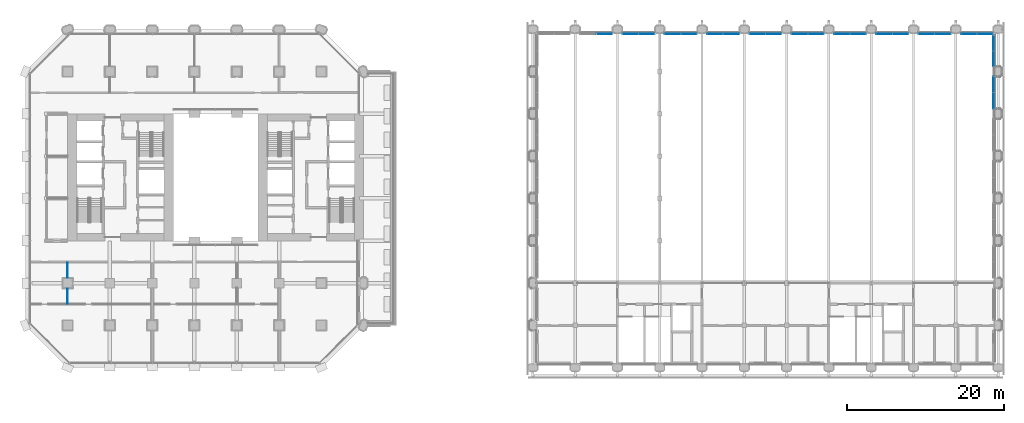
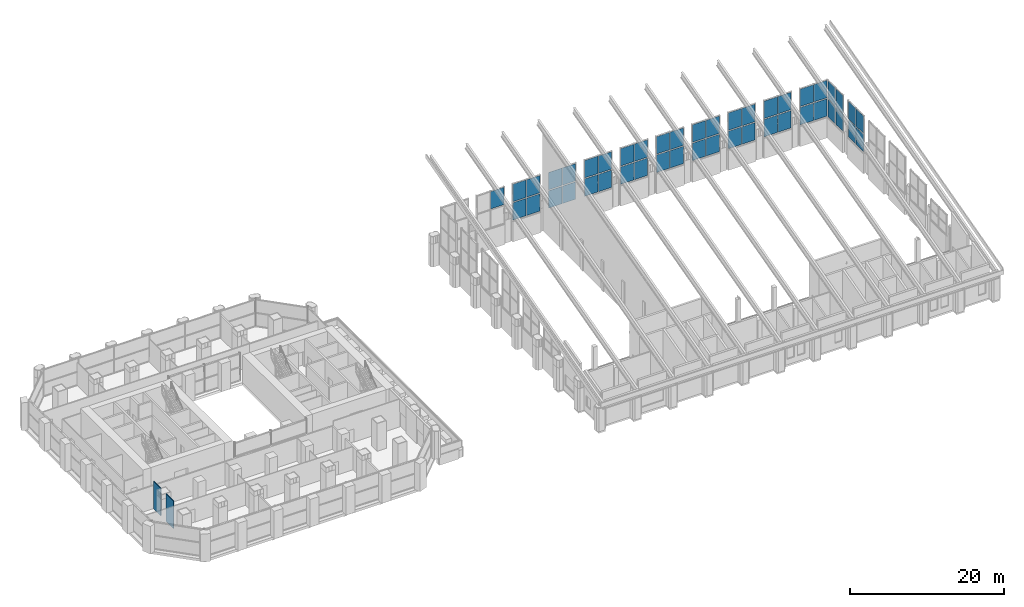
# One storey, part 26 of 42: 45 plates, 2 walls, 12 elements without a shape of their own.
"""IFC4 building model written with IfcOpenShell, lengths in metres."""

from ifc_helpers import new_model, si_unit, direction, frame, frame_2d, origin, origin_2d, place, context, subcontext, project, spatial, rectangle, extrude, material, layer, layer_set, type_object, element, aggregate, save


model = new_model("IFC4")

# Units and contexts
model_context = context("Model", 3, precision=1e-05, world=origin(), true_north=direction((0.0, 1.0)))
body_context = subcontext(model_context, "Body", "Model", "MODEL_VIEW")
ifc_project = project(units=[si_unit("LENGTHUNIT", "METRE"), si_unit("AREAUNIT", "SQUARE_METRE"), si_unit("VOLUMEUNIT", "CUBIC_METRE"), si_unit("PLANEANGLEUNIT", "RADIAN"), si_unit("MASSUNIT", "GRAM", prefix="KILO")], contexts=[model_context])

# Site, building, storey
site_placement = place(None, origin())
site = spatial("IfcSite", under=ifc_project, at=site_placement, CompositionType="ELEMENT")
building_placement = place(site_placement, origin())
building = spatial("IfcBuilding", under=site, at=building_placement, Name="Tabaq Tower and Sports Hall", CompositionType="ELEMENT")
storey_placement = place(building_placement, frame((0.0, 0.0, 19.800048828125)))
storey = spatial("IfcBuildingStorey", under=building, at=storey_placement, Name="L03", CompositionType="ELEMENT", Elevation=19.800048828125)

# Curtain wall, plate
ifc_material_1 = material(Name="Aluminium alloy 6063-T6 framed glazing", Category="aluminium")
curtain_wall_type = type_object("IfcCurtainWallType", Name="CW6 curtain wall", PredefinedType="USERDEFINED", material=ifc_material_1)
curtain_wall_1_placement = place(storey_placement, origin())
curtain_wall_1 = element("IfcCurtainWall", 1, at=curtain_wall_1_placement, inside=storey, type_object=curtain_wall_type, Name="L03 N hall glazing run", ObjectType="HALL FACADE WALL", PredefinedType="USERDEFINED")
ifc_material_2 = material(Name="Clear low-emissivity glass 28 mm", Category="glass")
ifc_layer_1 = layer(ifc_material_2, 0.031982421875)
ifc_layer_set_1 = layer_set([ifc_layer_1], Name="CW6 glass panel 32")
plate_type = type_object("IfcPlateType", Name="CW6 glass panel 32", PredefinedType="CURTAIN_PANEL", material=ifc_layer_set_1)
plate_1_placement = place(storey_placement, frame((73.9326171875, 42.60009765625, 6.27978515625), z_axis=(0.0, 0.0, 1.0), x_axis=(1.0, 0.0, 0.0)))
plate_1 = element("IfcPlate", 2, at=plate_1_placement, type_object=plate_type, Name="CW6 panel 2.2", PredefinedType="CURTAIN_PANEL", context=body_context, shape_type="SweptSolid", body=[
    extrude(rectangle(XDim=1.9951171875, YDim=0.031982421875, at=origin_2d()), origin(), (0.0, 0.0, 1.0), 2.760009765625),
])
aggregate(curtain_wall_1, [plate_1])

# Curtain wall, plates
curtain_wall_2_placement = place(storey_placement, origin())
curtain_wall_2 = element("IfcCurtainWall", 3, at=curtain_wall_2_placement, inside=storey, type_object=curtain_wall_type, Name="L03 N hall glazing run", ObjectType="HALL FACADE WALL", PredefinedType="USERDEFINED")
plate_2_placement = place(storey_placement, frame((77.267578125, 42.60009765625, 3.35986328125), z_axis=(0.0, 0.0, 1.0), x_axis=(1.0, 0.0, 0.0)))
plate_2 = element("IfcPlate", 4, at=plate_2_placement, type_object=plate_type, Name="CW6 panel 1.1", PredefinedType="CURTAIN_PANEL", context=body_context, shape_type="SweptSolid", body=[
    extrude(rectangle(XDim=1.9951171875, YDim=0.031982421875, at=origin_2d()), origin(), (0.0, 0.0, 1.0), 2.760009765625),
])
plate_3_placement = place(storey_placement, frame((77.267578125, 42.60009765625, 6.27978515625), z_axis=(0.0, 0.0, 1.0), x_axis=(1.0, 0.0, 0.0)))
plate_3 = element("IfcPlate", 5, at=plate_3_placement, type_object=plate_type, Name="CW6 panel 1.2", PredefinedType="CURTAIN_PANEL", context=body_context, shape_type="SweptSolid", body=[
    extrude(rectangle(XDim=1.9951171875, YDim=0.031982421875, at=origin_2d()), origin(), (0.0, 0.0, 1.0), 2.760009765625),
])
plate_4_placement = place(storey_placement, frame((79.33251953125, 42.60009765625, 3.35986328125), z_axis=(0.0, 0.0, 1.0), x_axis=(1.0, 0.0, 0.0)))
plate_4 = element("IfcPlate", 6, at=plate_4_placement, type_object=plate_type, Name="CW6 panel 2.1", PredefinedType="CURTAIN_PANEL", context=body_context, shape_type="SweptSolid", body=[
    extrude(rectangle(XDim=1.9951171875, YDim=0.031982421875, at=origin_2d()), origin(), (0.0, 0.0, 1.0), 2.760009765625),
])
plate_5_placement = place(storey_placement, frame((79.33251953125, 42.60009765625, 6.27978515625), z_axis=(0.0, 0.0, 1.0), x_axis=(1.0, 0.0, 0.0)))
plate_5 = element("IfcPlate", 7, at=plate_5_placement, type_object=plate_type, Name="CW6 panel 2.2", PredefinedType="CURTAIN_PANEL", context=body_context, shape_type="SweptSolid", body=[
    extrude(rectangle(XDim=1.9951171875, YDim=0.031982421875, at=origin_2d()), origin(), (0.0, 0.0, 1.0), 2.760009765625),
])
aggregate(curtain_wall_2, [plate_2, plate_3, plate_4, plate_5])

curtain_wall_3_placement = place(storey_placement, origin())
curtain_wall_3 = element("IfcCurtainWall", 8, at=curtain_wall_3_placement, inside=storey, type_object=curtain_wall_type, Name="L03 N hall glazing run", ObjectType="HALL FACADE WALL", PredefinedType="USERDEFINED")
plate_6_placement = place(storey_placement, frame((82.66748046875, 42.60009765625, 3.35986328125), z_axis=(0.0, 0.0, 1.0), x_axis=(1.0, 0.0, 0.0)))
plate_6 = element("IfcPlate", 9, at=plate_6_placement, type_object=plate_type, Name="CW6 panel 1.1", PredefinedType="CURTAIN_PANEL", context=body_context, shape_type="SweptSolid", body=[
    extrude(rectangle(XDim=1.9951171875, YDim=0.031982421875, at=origin_2d()), origin(), (0.0, 0.0, 1.0), 2.760009765625),
])
plate_7_placement = place(storey_placement, frame((82.66748046875, 42.60009765625, 6.27978515625), z_axis=(0.0, 0.0, 1.0), x_axis=(1.0, 0.0, 0.0)))
plate_7 = element("IfcPlate", 10, at=plate_7_placement, type_object=plate_type, Name="CW6 panel 1.2", PredefinedType="CURTAIN_PANEL", context=body_context, shape_type="SweptSolid", body=[
    extrude(rectangle(XDim=1.9951171875, YDim=0.031982421875, at=origin_2d()), origin(), (0.0, 0.0, 1.0), 2.760009765625),
])
plate_8_placement = place(storey_placement, frame((84.732421875, 42.60009765625, 3.35986328125), z_axis=(0.0, 0.0, 1.0), x_axis=(1.0, 0.0, 0.0)))
plate_8 = element("IfcPlate", 11, at=plate_8_placement, type_object=plate_type, Name="CW6 panel 2.1", PredefinedType="CURTAIN_PANEL", context=body_context, shape_type="SweptSolid", body=[
    extrude(rectangle(XDim=1.9951171875, YDim=0.031982421875, at=origin_2d()), origin(), (0.0, 0.0, 1.0), 2.760009765625),
])
plate_9_placement = place(storey_placement, frame((84.732421875, 42.60009765625, 6.27978515625), z_axis=(0.0, 0.0, 1.0), x_axis=(1.0, 0.0, 0.0)))
plate_9 = element("IfcPlate", 12, at=plate_9_placement, type_object=plate_type, Name="CW6 panel 2.2", PredefinedType="CURTAIN_PANEL", context=body_context, shape_type="SweptSolid", body=[
    extrude(rectangle(XDim=1.9951171875, YDim=0.031982421875, at=origin_2d()), origin(), (0.0, 0.0, 1.0), 2.760009765625),
])
aggregate(curtain_wall_3, [plate_6, plate_7, plate_8, plate_9])

curtain_wall_4_placement = place(storey_placement, origin())
curtain_wall_4 = element("IfcCurtainWall", 13, at=curtain_wall_4_placement, inside=storey, type_object=curtain_wall_type, Name="L03 N hall glazing run", ObjectType="HALL FACADE WALL", PredefinedType="USERDEFINED")
plate_10_placement = place(storey_placement, frame((88.0673828125, 42.60009765625, 3.35986328125), z_axis=(0.0, 0.0, 1.0), x_axis=(1.0, 0.0, 0.0)))
plate_10 = element("IfcPlate", 14, at=plate_10_placement, type_object=plate_type, Name="CW6 panel 1.1", PredefinedType="CURTAIN_PANEL", context=body_context, shape_type="SweptSolid", body=[
    extrude(rectangle(XDim=1.9951171875, YDim=0.031982421875, at=origin_2d()), origin(), (0.0, 0.0, 1.0), 2.760009765625),
])
plate_11_placement = place(storey_placement, frame((88.0673828125, 42.60009765625, 6.27978515625), z_axis=(0.0, 0.0, 1.0), x_axis=(1.0, 0.0, 0.0)))
plate_11 = element("IfcPlate", 15, at=plate_11_placement, type_object=plate_type, Name="CW6 panel 1.2", PredefinedType="CURTAIN_PANEL", context=body_context, shape_type="SweptSolid", body=[
    extrude(rectangle(XDim=1.9951171875, YDim=0.031982421875, at=origin_2d()), origin(), (0.0, 0.0, 1.0), 2.760009765625),
])
plate_12_placement = place(storey_placement, frame((90.132568359375, 42.60009765625, 3.35986328125), z_axis=(0.0, 0.0, 1.0), x_axis=(1.0, 0.0, 0.0)))
plate_12 = element("IfcPlate", 16, at=plate_12_placement, type_object=plate_type, Name="CW6 panel 2.1", PredefinedType="CURTAIN_PANEL", context=body_context, shape_type="SweptSolid", body=[
    extrude(rectangle(XDim=1.9951171875, YDim=0.031982421875, at=origin_2d()), origin(), (0.0, 0.0, 1.0), 2.760009765625),
])
plate_13_placement = place(storey_placement, frame((90.132568359375, 42.60009765625, 6.27978515625), z_axis=(0.0, 0.0, 1.0), x_axis=(1.0, 0.0, 0.0)))
plate_13 = element("IfcPlate", 17, at=plate_13_placement, type_object=plate_type, Name="CW6 panel 2.2", PredefinedType="CURTAIN_PANEL", context=body_context, shape_type="SweptSolid", body=[
    extrude(rectangle(XDim=1.9951171875, YDim=0.031982421875, at=origin_2d()), origin(), (0.0, 0.0, 1.0), 2.760009765625),
])
aggregate(curtain_wall_4, [plate_10, plate_11, plate_12, plate_13])

curtain_wall_5_placement = place(storey_placement, origin())
curtain_wall_5 = element("IfcCurtainWall", 18, at=curtain_wall_5_placement, inside=storey, type_object=curtain_wall_type, Name="L03 N hall glazing run", ObjectType="HALL FACADE WALL", PredefinedType="USERDEFINED")
plate_14_placement = place(storey_placement, frame((93.467529296875, 42.60009765625, 3.35986328125), z_axis=(0.0, 0.0, 1.0), x_axis=(1.0, 0.0, 0.0)))
plate_14 = element("IfcPlate", 19, at=plate_14_placement, type_object=plate_type, Name="CW6 panel 1.1", PredefinedType="CURTAIN_PANEL", context=body_context, shape_type="SweptSolid", body=[
    extrude(rectangle(XDim=1.9951171875, YDim=0.031982421875, at=origin_2d()), origin(), (0.0, 0.0, 1.0), 2.760009765625),
])
plate_15_placement = place(storey_placement, frame((93.467529296875, 42.60009765625, 6.27978515625), z_axis=(0.0, 0.0, 1.0), x_axis=(1.0, 0.0, 0.0)))
plate_15 = element("IfcPlate", 20, at=plate_15_placement, type_object=plate_type, Name="CW6 panel 1.2", PredefinedType="CURTAIN_PANEL", context=body_context, shape_type="SweptSolid", body=[
    extrude(rectangle(XDim=1.9951171875, YDim=0.031982421875, at=origin_2d()), origin(), (0.0, 0.0, 1.0), 2.760009765625),
])
plate_16_placement = place(storey_placement, frame((95.532470703125, 42.60009765625, 3.35986328125), z_axis=(0.0, 0.0, 1.0), x_axis=(1.0, 0.0, 0.0)))
plate_16 = element("IfcPlate", 21, at=plate_16_placement, type_object=plate_type, Name="CW6 panel 2.1", PredefinedType="CURTAIN_PANEL", context=body_context, shape_type="SweptSolid", body=[
    extrude(rectangle(XDim=1.9951171875, YDim=0.031982421875, at=origin_2d()), origin(), (0.0, 0.0, 1.0), 2.760009765625),
])
plate_17_placement = place(storey_placement, frame((95.532470703125, 42.60009765625, 6.27978515625), z_axis=(0.0, 0.0, 1.0), x_axis=(1.0, 0.0, 0.0)))
plate_17 = element("IfcPlate", 22, at=plate_17_placement, type_object=plate_type, Name="CW6 panel 2.2", PredefinedType="CURTAIN_PANEL", context=body_context, shape_type="SweptSolid", body=[
    extrude(rectangle(XDim=1.9951171875, YDim=0.031982421875, at=origin_2d()), origin(), (0.0, 0.0, 1.0), 2.760009765625),
])
aggregate(curtain_wall_5, [plate_14, plate_15, plate_16, plate_17])

curtain_wall_6_placement = place(storey_placement, origin())
curtain_wall_6 = element("IfcCurtainWall", 23, at=curtain_wall_6_placement, inside=storey, type_object=curtain_wall_type, Name="L03 N hall glazing run", ObjectType="HALL FACADE WALL", PredefinedType="USERDEFINED")
plate_18_placement = place(storey_placement, frame((98.867431640625, 42.60009765625, 3.35986328125), z_axis=(0.0, 0.0, 1.0), x_axis=(1.0, 0.0, 0.0)))
plate_18 = element("IfcPlate", 24, at=plate_18_placement, type_object=plate_type, Name="CW6 panel 1.1", PredefinedType="CURTAIN_PANEL", context=body_context, shape_type="SweptSolid", body=[
    extrude(rectangle(XDim=1.9951171875, YDim=0.031982421875, at=origin_2d()), origin(), (0.0, 0.0, 1.0), 2.760009765625),
])
plate_19_placement = place(storey_placement, frame((98.867431640625, 42.60009765625, 6.27978515625), z_axis=(0.0, 0.0, 1.0), x_axis=(1.0, 0.0, 0.0)))
plate_19 = element("IfcPlate", 25, at=plate_19_placement, type_object=plate_type, Name="CW6 panel 1.2", PredefinedType="CURTAIN_PANEL", context=body_context, shape_type="SweptSolid", body=[
    extrude(rectangle(XDim=1.9951171875, YDim=0.031982421875, at=origin_2d()), origin(), (0.0, 0.0, 1.0), 2.760009765625),
])
plate_20_placement = place(storey_placement, frame((100.9326171875, 42.60009765625, 3.35986328125), z_axis=(0.0, 0.0, 1.0), x_axis=(1.0, 0.0, 0.0)))
plate_20 = element("IfcPlate", 26, at=plate_20_placement, type_object=plate_type, Name="CW6 panel 2.1", PredefinedType="CURTAIN_PANEL", context=body_context, shape_type="SweptSolid", body=[
    extrude(rectangle(XDim=1.9951171875, YDim=0.031982421875, at=origin_2d()), origin(), (0.0, 0.0, 1.0), 2.760009765625),
])
plate_21_placement = place(storey_placement, frame((100.9326171875, 42.60009765625, 6.27978515625), z_axis=(0.0, 0.0, 1.0), x_axis=(1.0, 0.0, 0.0)))
plate_21 = element("IfcPlate", 27, at=plate_21_placement, type_object=plate_type, Name="CW6 panel 2.2", PredefinedType="CURTAIN_PANEL", context=body_context, shape_type="SweptSolid", body=[
    extrude(rectangle(XDim=1.9951171875, YDim=0.031982421875, at=origin_2d()), origin(), (0.0, 0.0, 1.0), 2.760009765625),
])
aggregate(curtain_wall_6, [plate_18, plate_19, plate_20, plate_21])

curtain_wall_7_placement = place(storey_placement, origin())
curtain_wall_7 = element("IfcCurtainWall", 28, at=curtain_wall_7_placement, inside=storey, type_object=curtain_wall_type, Name="L03 N hall glazing run", ObjectType="HALL FACADE WALL", PredefinedType="USERDEFINED")
plate_22_placement = place(storey_placement, frame((104.267578125, 42.60009765625, 3.35986328125), z_axis=(0.0, 0.0, 1.0), x_axis=(1.0, 0.0, 0.0)))
plate_22 = element("IfcPlate", 29, at=plate_22_placement, type_object=plate_type, Name="CW6 panel 1.1", PredefinedType="CURTAIN_PANEL", context=body_context, shape_type="SweptSolid", body=[
    extrude(rectangle(XDim=1.9951171875, YDim=0.031982421875, at=origin_2d()), origin(), (0.0, 0.0, 1.0), 2.760009765625),
])
plate_23_placement = place(storey_placement, frame((104.267578125, 42.60009765625, 6.27978515625), z_axis=(0.0, 0.0, 1.0), x_axis=(1.0, 0.0, 0.0)))
plate_23 = element("IfcPlate", 30, at=plate_23_placement, type_object=plate_type, Name="CW6 panel 1.2", PredefinedType="CURTAIN_PANEL", context=body_context, shape_type="SweptSolid", body=[
    extrude(rectangle(XDim=1.9951171875, YDim=0.031982421875, at=origin_2d()), origin(), (0.0, 0.0, 1.0), 2.760009765625),
])
plate_24_placement = place(storey_placement, frame((106.33251953125, 42.60009765625, 3.35986328125), z_axis=(0.0, 0.0, 1.0), x_axis=(1.0, 0.0, 0.0)))
plate_24 = element("IfcPlate", 31, at=plate_24_placement, type_object=plate_type, Name="CW6 panel 2.1", PredefinedType="CURTAIN_PANEL", context=body_context, shape_type="SweptSolid", body=[
    extrude(rectangle(XDim=1.9951171875, YDim=0.031982421875, at=origin_2d()), origin(), (0.0, 0.0, 1.0), 2.760009765625),
])
plate_25_placement = place(storey_placement, frame((106.33251953125, 42.60009765625, 6.27978515625), z_axis=(0.0, 0.0, 1.0), x_axis=(1.0, 0.0, 0.0)))
plate_25 = element("IfcPlate", 32, at=plate_25_placement, type_object=plate_type, Name="CW6 panel 2.2", PredefinedType="CURTAIN_PANEL", context=body_context, shape_type="SweptSolid", body=[
    extrude(rectangle(XDim=1.9951171875, YDim=0.031982421875, at=origin_2d()), origin(), (0.0, 0.0, 1.0), 2.760009765625),
])
aggregate(curtain_wall_7, [plate_22, plate_23, plate_24, plate_25])

curtain_wall_8_placement = place(storey_placement, origin())
curtain_wall_8 = element("IfcCurtainWall", 33, at=curtain_wall_8_placement, inside=storey, type_object=curtain_wall_type, Name="L03 N hall glazing run", ObjectType="HALL FACADE WALL", PredefinedType="USERDEFINED")
plate_26_placement = place(storey_placement, frame((109.66748046875, 42.60009765625, 3.35986328125), z_axis=(0.0, 0.0, 1.0), x_axis=(1.0, 0.0, 0.0)))
plate_26 = element("IfcPlate", 34, at=plate_26_placement, type_object=plate_type, Name="CW6 panel 1.1", PredefinedType="CURTAIN_PANEL", context=body_context, shape_type="SweptSolid", body=[
    extrude(rectangle(XDim=1.9951171875, YDim=0.031982421875, at=origin_2d()), origin(), (0.0, 0.0, 1.0), 2.760009765625),
])
plate_27_placement = place(storey_placement, frame((109.66748046875, 42.60009765625, 6.27978515625), z_axis=(0.0, 0.0, 1.0), x_axis=(1.0, 0.0, 0.0)))
plate_27 = element("IfcPlate", 35, at=plate_27_placement, type_object=plate_type, Name="CW6 panel 1.2", PredefinedType="CURTAIN_PANEL", context=body_context, shape_type="SweptSolid", body=[
    extrude(rectangle(XDim=1.9951171875, YDim=0.031982421875, at=origin_2d()), origin(), (0.0, 0.0, 1.0), 2.760009765625),
])
plate_28_placement = place(storey_placement, frame((111.732421875, 42.60009765625, 3.35986328125), z_axis=(0.0, 0.0, 1.0), x_axis=(1.0, 0.0, 0.0)))
plate_28 = element("IfcPlate", 36, at=plate_28_placement, type_object=plate_type, Name="CW6 panel 2.1", PredefinedType="CURTAIN_PANEL", context=body_context, shape_type="SweptSolid", body=[
    extrude(rectangle(XDim=1.9951171875, YDim=0.031982421875, at=origin_2d()), origin(), (0.0, 0.0, 1.0), 2.760009765625),
])
plate_29_placement = place(storey_placement, frame((111.732421875, 42.60009765625, 6.27978515625), z_axis=(0.0, 0.0, 1.0), x_axis=(1.0, 0.0, 0.0)))
plate_29 = element("IfcPlate", 37, at=plate_29_placement, type_object=plate_type, Name="CW6 panel 2.2", PredefinedType="CURTAIN_PANEL", context=body_context, shape_type="SweptSolid", body=[
    extrude(rectangle(XDim=1.9951171875, YDim=0.031982421875, at=origin_2d()), origin(), (0.0, 0.0, 1.0), 2.760009765625),
])
aggregate(curtain_wall_8, [plate_26, plate_27, plate_28, plate_29])

curtain_wall_9_placement = place(storey_placement, origin())
curtain_wall_9 = element("IfcCurtainWall", 38, at=curtain_wall_9_placement, inside=storey, type_object=curtain_wall_type, Name="L03 N hall glazing run", ObjectType="HALL FACADE WALL", PredefinedType="USERDEFINED")
plate_30_placement = place(storey_placement, frame((115.0673828125, 42.60009765625, 3.35986328125), z_axis=(0.0, 0.0, 1.0), x_axis=(1.0, 0.0, 0.0)))
plate_30 = element("IfcPlate", 39, at=plate_30_placement, type_object=plate_type, Name="CW6 panel 1.1", PredefinedType="CURTAIN_PANEL", context=body_context, shape_type="SweptSolid", body=[
    extrude(rectangle(XDim=1.9951171875, YDim=0.031982421875, at=origin_2d()), origin(), (0.0, 0.0, 1.0), 2.760009765625),
])
plate_31_placement = place(storey_placement, frame((115.0673828125, 42.60009765625, 6.27978515625), z_axis=(0.0, 0.0, 1.0), x_axis=(1.0, 0.0, 0.0)))
plate_31 = element("IfcPlate", 40, at=plate_31_placement, type_object=plate_type, Name="CW6 panel 1.2", PredefinedType="CURTAIN_PANEL", context=body_context, shape_type="SweptSolid", body=[
    extrude(rectangle(XDim=1.9951171875, YDim=0.031982421875, at=origin_2d()), origin(), (0.0, 0.0, 1.0), 2.760009765625),
])
plate_32_placement = place(storey_placement, frame((117.132568359375, 42.60009765625, 3.35986328125), z_axis=(0.0, 0.0, 1.0), x_axis=(1.0, 0.0, 0.0)))
plate_32 = element("IfcPlate", 41, at=plate_32_placement, type_object=plate_type, Name="CW6 panel 2.1", PredefinedType="CURTAIN_PANEL", context=body_context, shape_type="SweptSolid", body=[
    extrude(rectangle(XDim=1.9951171875, YDim=0.031982421875, at=origin_2d()), origin(), (0.0, 0.0, 1.0), 2.760009765625),
])
plate_33_placement = place(storey_placement, frame((117.132568359375, 42.60009765625, 6.27978515625), z_axis=(0.0, 0.0, 1.0), x_axis=(1.0, 0.0, 0.0)))
plate_33 = element("IfcPlate", 42, at=plate_33_placement, type_object=plate_type, Name="CW6 panel 2.2", PredefinedType="CURTAIN_PANEL", context=body_context, shape_type="SweptSolid", body=[
    extrude(rectangle(XDim=1.9951171875, YDim=0.031982421875, at=origin_2d()), origin(), (0.0, 0.0, 1.0), 2.760009765625),
])
aggregate(curtain_wall_9, [plate_30, plate_31, plate_32, plate_33])

curtain_wall_10_placement = place(storey_placement, origin())
curtain_wall_10 = element("IfcCurtainWall", 43, at=curtain_wall_10_placement, inside=storey, type_object=curtain_wall_type, Name="L03 N hall glazing run", ObjectType="HALL FACADE WALL", PredefinedType="USERDEFINED")
plate_34_placement = place(storey_placement, frame((120.467529296875, 42.60009765625, 3.35986328125), z_axis=(0.0, 0.0, 1.0), x_axis=(1.0, 0.0, 0.0)))
plate_34 = element("IfcPlate", 44, at=plate_34_placement, type_object=plate_type, Name="CW6 panel 1.1", PredefinedType="CURTAIN_PANEL", context=body_context, shape_type="SweptSolid", body=[
    extrude(rectangle(XDim=1.9951171875, YDim=0.031982421875, at=origin_2d()), origin(), (0.0, 0.0, 1.0), 2.760009765625),
])
plate_35_placement = place(storey_placement, frame((120.467529296875, 42.60009765625, 6.27978515625), z_axis=(0.0, 0.0, 1.0), x_axis=(1.0, 0.0, 0.0)))
plate_35 = element("IfcPlate", 45, at=plate_35_placement, type_object=plate_type, Name="CW6 panel 1.2", PredefinedType="CURTAIN_PANEL", context=body_context, shape_type="SweptSolid", body=[
    extrude(rectangle(XDim=1.9951171875, YDim=0.031982421875, at=origin_2d()), origin(), (0.0, 0.0, 1.0), 2.760009765625),
])
plate_36_placement = place(storey_placement, frame((122.532470703125, 42.60009765625, 3.35986328125), z_axis=(0.0, 0.0, 1.0), x_axis=(1.0, 0.0, 0.0)))
plate_36 = element("IfcPlate", 46, at=plate_36_placement, type_object=plate_type, Name="CW6 panel 2.1", PredefinedType="CURTAIN_PANEL", context=body_context, shape_type="SweptSolid", body=[
    extrude(rectangle(XDim=1.9951171875, YDim=0.031982421875, at=origin_2d()), origin(), (0.0, 0.0, 1.0), 2.760009765625),
])
plate_37_placement = place(storey_placement, frame((122.532470703125, 42.60009765625, 6.27978515625), z_axis=(0.0, 0.0, 1.0), x_axis=(1.0, 0.0, 0.0)))
plate_37 = element("IfcPlate", 47, at=plate_37_placement, type_object=plate_type, Name="CW6 panel 2.2", PredefinedType="CURTAIN_PANEL", context=body_context, shape_type="SweptSolid", body=[
    extrude(rectangle(XDim=1.9951171875, YDim=0.031982421875, at=origin_2d()), origin(), (0.0, 0.0, 1.0), 2.760009765625),
])
aggregate(curtain_wall_10, [plate_34, plate_35, plate_36, plate_37])

curtain_wall_11_placement = place(storey_placement, origin())
curtain_wall_11 = element("IfcCurtainWall", 48, at=curtain_wall_11_placement, inside=storey, type_object=curtain_wall_type, Name="L03 E hall glazing run", ObjectType="HALL FACADE WALL", PredefinedType="USERDEFINED")
plate_38_placement = place(storey_placement, frame((123.60009765625, 34.0673828125, 3.35986328125), z_axis=(0.0, 0.0, 1.0), x_axis=(0.0, 1.0, 0.0)))
plate_38 = element("IfcPlate", 49, at=plate_38_placement, type_object=plate_type, Name="CW6 panel 1.1", PredefinedType="CURTAIN_PANEL", context=body_context, shape_type="SweptSolid", body=[
    extrude(rectangle(XDim=1.9951171875, YDim=0.031982421875, at=origin_2d()), origin(), (0.0, 0.0, 1.0), 2.760009765625),
])
plate_39_placement = place(storey_placement, frame((123.60009765625, 34.0673828125, 6.27978515625), z_axis=(0.0, 0.0, 1.0), x_axis=(0.0, 1.0, 0.0)))
plate_39 = element("IfcPlate", 50, at=plate_39_placement, type_object=plate_type, Name="CW6 panel 1.2", PredefinedType="CURTAIN_PANEL", context=body_context, shape_type="SweptSolid", body=[
    extrude(rectangle(XDim=1.9951171875, YDim=0.031982421875, at=origin_2d()), origin(), (0.0, 0.0, 1.0), 2.760009765625),
])
plate_40_placement = place(storey_placement, frame((123.60009765625, 36.132568359375, 3.35986328125), z_axis=(0.0, 0.0, 1.0), x_axis=(0.0, 1.0, 0.0)))
plate_40 = element("IfcPlate", 51, at=plate_40_placement, type_object=plate_type, Name="CW6 panel 2.1", PredefinedType="CURTAIN_PANEL", context=body_context, shape_type="SweptSolid", body=[
    extrude(rectangle(XDim=1.9951171875, YDim=0.031982421875, at=origin_2d()), origin(), (0.0, 0.0, 1.0), 2.760009765625),
])
plate_41_placement = place(storey_placement, frame((123.60009765625, 36.132568359375, 6.27978515625), z_axis=(0.0, 0.0, 1.0), x_axis=(0.0, 1.0, 0.0)))
plate_41 = element("IfcPlate", 52, at=plate_41_placement, type_object=plate_type, Name="CW6 panel 2.2", PredefinedType="CURTAIN_PANEL", context=body_context, shape_type="SweptSolid", body=[
    extrude(rectangle(XDim=1.9951171875, YDim=0.031982421875, at=origin_2d()), origin(), (0.0, 0.0, 1.0), 2.760009765625),
])
aggregate(curtain_wall_11, [plate_38, plate_39, plate_40, plate_41])

curtain_wall_12_placement = place(storey_placement, origin())
curtain_wall_12 = element("IfcCurtainWall", 53, at=curtain_wall_12_placement, inside=storey, type_object=curtain_wall_type, Name="L03 E hall glazing run", ObjectType="HALL FACADE WALL", PredefinedType="USERDEFINED")
plate_42_placement = place(storey_placement, frame((123.60009765625, 39.429931640625, 3.35986328125), z_axis=(0.0, 0.0, 1.0), x_axis=(0.0, 1.0, 0.0)))
plate_42 = element("IfcPlate", 54, at=plate_42_placement, type_object=plate_type, Name="CW6 panel 1.1", PredefinedType="CURTAIN_PANEL", context=body_context, shape_type="SweptSolid", body=[
    extrude(rectangle(XDim=1.919921875, YDim=0.031982421875, at=origin_2d()), origin(), (0.0, 0.0, 1.0), 2.760009765625),
])
plate_43_placement = place(storey_placement, frame((123.60009765625, 39.429931640625, 6.27978515625), z_axis=(0.0, 0.0, 1.0), x_axis=(0.0, 1.0, 0.0)))
plate_43 = element("IfcPlate", 55, at=plate_43_placement, type_object=plate_type, Name="CW6 panel 1.2", PredefinedType="CURTAIN_PANEL", context=body_context, shape_type="SweptSolid", body=[
    extrude(rectangle(XDim=1.919921875, YDim=0.031982421875, at=origin_2d()), origin(), (0.0, 0.0, 1.0), 2.760009765625),
])
plate_44_placement = place(storey_placement, frame((123.60009765625, 41.419921875, 3.35986328125), z_axis=(0.0, 0.0, 1.0), x_axis=(0.0, 1.0, 0.0)))
plate_44 = element("IfcPlate", 56, at=plate_44_placement, type_object=plate_type, Name="CW6 panel 2.1", PredefinedType="CURTAIN_PANEL", context=body_context, shape_type="SweptSolid", body=[
    extrude(rectangle(XDim=1.919921875, YDim=0.031982421875, at=origin_2d()), origin(), (0.0, 0.0, 1.0), 2.760009765625),
])
plate_45_placement = place(storey_placement, frame((123.60009765625, 41.419921875, 6.27978515625), z_axis=(0.0, 0.0, 1.0), x_axis=(0.0, 1.0, 0.0)))
plate_45 = element("IfcPlate", 57, at=plate_45_placement, type_object=plate_type, Name="CW6 panel 2.2", PredefinedType="CURTAIN_PANEL", context=body_context, shape_type="SweptSolid", body=[
    extrude(rectangle(XDim=1.919921875, YDim=0.031982421875, at=origin_2d()), origin(), (0.0, 0.0, 1.0), 2.760009765625),
])
aggregate(curtain_wall_12, [plate_42, plate_43, plate_44, plate_45])

# Walls
ifc_material_3 = material(Name="Gypsum board on steel studs", Category="steel")
ifc_layer_2 = layer(ifc_material_3, 0.10009765625)
ifc_layer_set_2 = layer_set([ifc_layer_2], Name="Partition 100 Gypsum board")
wall_type = type_object("IfcWallType", Name="Partition 100 Gypsum board", PredefinedType="PARTITIONING", material=ifc_layer_set_2)
wall_1_placement = place(storey_placement, frame((5.39990234375, 13.39990234375, 0.0), z_axis=(0.0, 0.0, 1.0), x_axis=(0.0, -1.0, 0.0)))
element("IfcWall", 58, at=wall_1_placement, inside=storey, type_object=wall_type, Name="Partition wall L03", PredefinedType="PARTITIONING", context=body_context, shape_type="SweptSolid", body=[
    extrude(rectangle(XDim=1.899169921875, YDim=0.10009765625, at=frame_2d((0.94970703125, 0.0))), origin(), (0.0, 0.0, 1.0), 4.39990234375),
])
wall_2_placement = place(storey_placement, frame((5.39990234375, 10.099365234375, 0.0), z_axis=(0.0, 0.0, 1.0), x_axis=(0.0, -1.0, 0.0)))
element("IfcWall", 59, at=wall_2_placement, inside=storey, type_object=wall_type, Name="Partition wall L03", PredefinedType="PARTITIONING", context=body_context, shape_type="SweptSolid", body=[
    extrude(rectangle(XDim=1.949462890625, YDim=0.10009765625, at=frame_2d((0.974609375, 0.0))), origin(), (0.0, 0.0, 1.0), 4.39990234375),
])

save(model, "model.ifc")
